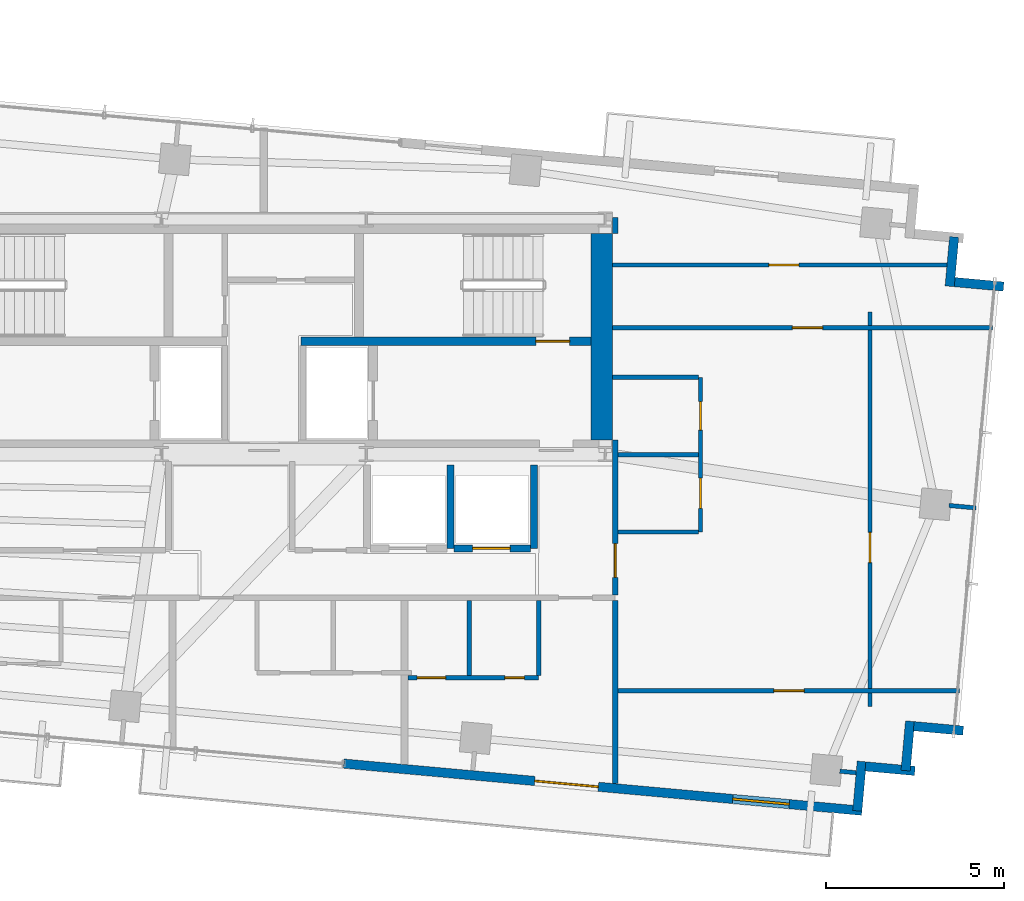
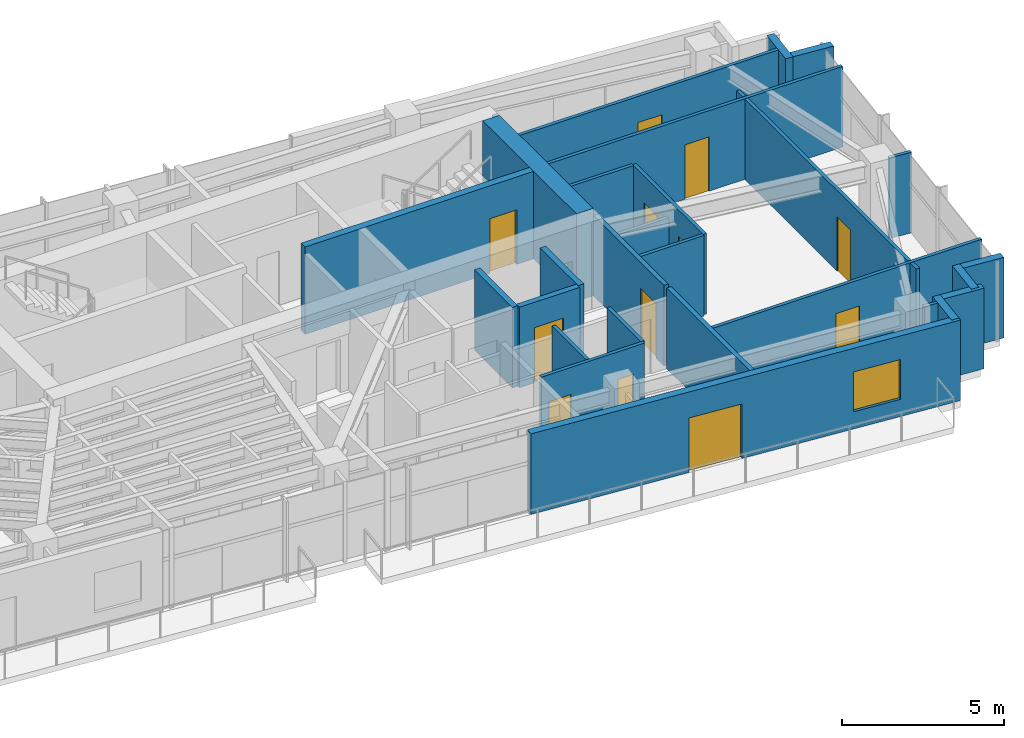
# One storey, part 18 of 22: 30 walls, 12 doors, 1 window, 13 openings.
"""IFC4 building model written with IfcOpenShell, lengths in metres."""

from ifc_helpers import new_model, si_unit, direction, frame, frame_2d, origin, place, context, subcontext, project, spatial, rectangle, extrude, source, transform, mapped, material, layer, layer_set, type_object, type_shapes, element, fill, save


model = new_model("IFC4")

# Units and contexts
model_context = context("Model", 3, precision=1e-05, world=origin(), true_north=direction((0.0, 1.0)))
body_context = subcontext(model_context, "Body", "Model", "MODEL_VIEW")
ifc_project = project(units=[si_unit("LENGTHUNIT", "METRE"), si_unit("AREAUNIT", "SQUARE_METRE"), si_unit("VOLUMEUNIT", "CUBIC_METRE"), si_unit("PLANEANGLEUNIT", "RADIAN"), si_unit("MASSUNIT", "GRAM", prefix="KILO")], contexts=[model_context])

# Site, building, storey
site_placement = place(None, origin())
site = spatial("IfcSite", under=ifc_project, at=site_placement, CompositionType="ELEMENT")
building_placement = place(site_placement, origin())
building = spatial("IfcBuilding", under=site, at=building_placement, Name="Astriad Promenade Condominiums", CompositionType="ELEMENT")
storey_placement = place(building_placement, frame((0.0, 0.0, 239.699951171875)))
storey = spatial("IfcBuildingStorey", under=building, at=storey_placement, Name="L69", CompositionType="ELEMENT", Elevation=239.699951171875)

# Wall
ifc_material_1 = material(Name="Concrete C50/60", Category="concrete")
ifc_layer_1 = layer(ifc_material_1, 0.60009765625)
ifc_layer_set_1 = layer_set([ifc_layer_1], Name="Concrete C50/60")
wall_type_1 = type_object("IfcWallType", Name="CW-SHEAR-600", PredefinedType="SHEAR", material=ifc_layer_set_1)
wall_1_placement = place(storey_placement, frame((45.5, 17.802001953125, 0.0), z_axis=(0.0, 0.0, 1.0), x_axis=(0.0, 1.0, 0.0)))
element("IfcWall", 1, at=wall_1_placement, inside=storey, type_object=wall_type_1, Name="CW-CORE-E-L69", PredefinedType="SHEAR", context=body_context, shape_type="SweptSolid", body=[
    extrude(rectangle(XDim=5.7958984375, YDim=0.60009765625, at=frame_2d((2.89794921875, 0.0))), origin(), (0.0, 0.0, 1.0), 3.300048828125),
])

# Wall, opening, door
ifc_layer_2 = layer(ifc_material_1, 0.25)
ifc_layer_set_2 = layer_set([ifc_layer_2], Name="Concrete C50/60")
wall_type_2 = type_object("IfcWallType", Name="WALL-CORE-INT-250", PredefinedType="SOLIDWALL", material=ifc_layer_set_2)
wall_2_placement = place(storey_placement, frame((37.050048828125, 20.574951171875, 0.0), z_axis=(0.0, 0.0, 1.0), x_axis=(1.0, 0.0, 0.0)))
wall_2 = element("IfcWall", 2, at=wall_2_placement, inside=storey, type_object=wall_type_2, Name="CW-INT-H2-L69", PredefinedType="SOLIDWALL", context=body_context, shape_type="SweptSolid", body=[
    extrude(rectangle(XDim=8.14794921875, YDim=0.25, at=frame_2d((4.073974609375, 0.0))), origin(), (0.0, 0.0, 1.0), 3.300048828125),
])
opening_1_placement = place(wall_2_placement, frame((6.60009765625, 0.0, 0.0)))
opening_1 = element("IfcOpeningElement", 3, at=opening_1_placement, cuts=wall_2, Name="Opening FD90-ST-095", PredefinedType="OPENING", context=body_context, shape_type="SweptSolid", body=[
    extrude(rectangle(XDim=0.949951171875, YDim=2.06005859375, at=frame_2d((0.47509765625, 1.030029296875))), frame((0.0, 0.135009765625, 0.0), z_axis=(0.0, -1.0, 0.0), x_axis=(1.0, 0.0, 0.0)), (0.0, 0.0, 1.0), 0.27001953125),
])
ifc_material_2 = material(Name="Fire-Rated Hollow Metal Stair Door")
door_type_1 = type_object("IfcDoorType", Name="FD90-ST-095", OperationType="NOTDEFINED", PredefinedType="DOOR", material=ifc_material_2)
shared_shape_1 = source(origin(), body_context, "Body", "SweptSolid", [
    extrude(rectangle(XDim=0.949951171875, YDim=2.06005859375, at=frame_2d((0.47509765625, 1.030029296875))), frame((0.0, 0.02490234375, 0.0), z_axis=(0.0, -1.0, 0.0), x_axis=(1.0, 0.0, 0.0)), (0.0, 0.0, 1.0), 0.050048828125),
])
type_shapes(door_type_1, [shared_shape_1])
door_1_placement = place(opening_1_placement, origin())
door_1 = element("IfcDoor", 4, at=door_1_placement, inside=storey, type_object=door_type_1, Name="D-ST2-L69", OperationType="SINGLE_SWING_RIGHT", OverallHeight=2.06005859375, OverallWidth=0.949951171875, PredefinedType="DOOR", context=body_context, shape_type="MappedRepresentation", body=[
    mapped(shared_shape_1, transform((0.0, 0.0, 0.0), scale=1.0)),
])
fill(opening_1, door_1)

# Wall
ifc_material_3 = material(Name="Fire-Rated Gypsum Partition")
ifc_layer_3 = layer(ifc_material_3, 0.159912109375)
ifc_layer_set_3 = layer_set([ifc_layer_3], Name="Fire-Rated Gypsum Partition")
wall_type_3 = type_object("IfcWallType", Name="WALL-CORR-160", PredefinedType="PARTITIONING", material=ifc_layer_set_3)
wall_3_placement = place(storey_placement, frame((45.8798828125, 8.135986328125, 0.0), z_axis=(0.0, 0.0, 1.0), x_axis=(0.0, 1.0, 0.0)))
element("IfcWall", 5, at=wall_3_placement, inside=storey, type_object=wall_type_3, Name="PT-COR-E-L69", PredefinedType="PARTITIONING", context=body_context, shape_type="SweptSolid", body=[
    extrude(rectangle(XDim=5.14208984375, YDim=0.159912109375, at=frame_2d((2.571044921875, 0.0))), origin(), (0.0, 0.0, 1.0), 3.0400390625),
])

# Wall, opening, door
wall_4_placement = place(storey_placement, frame((45.8798828125, 13.44189453125, 0.0), z_axis=(0.0, 0.0, 1.0), x_axis=(0.0, 1.0, 0.0)))
wall_4 = element("IfcWall", 6, at=wall_4_placement, inside=storey, type_object=wall_type_3, Name="PT-COR-E-L69-S2", PredefinedType="PARTITIONING", context=body_context, shape_type="SweptSolid", body=[
    extrude(rectangle(XDim=4.360107421875, YDim=0.159912109375, at=frame_2d((2.18017578125, 0.0))), origin(), (0.0, 0.0, 1.0), 3.0400390625),
])
opening_2_placement = place(wall_4_placement, frame((0.492919921875, 0.0, 0.0)))
opening_2 = element("IfcOpeningElement", 7, at=opening_2_placement, cuts=wall_4, Name="Opening FD60-APT-095", PredefinedType="OPENING", context=body_context, shape_type="SweptSolid", body=[
    extrude(rectangle(XDim=0.949951171875, YDim=2.06005859375, at=frame_2d((0.47509765625, 1.030029296875))), frame((0.0, 0.08984375, 0.0), z_axis=(0.0, -1.0, 0.0), x_axis=(1.0, 0.0, 0.0)), (0.0, 0.0, 1.0), 0.179931640625),
])
ifc_material_4 = material(Name="Solid-Core Acoustic Timber Residence Entry Door", Category="wood")
door_type_2 = type_object("IfcDoorType", Name="FD60-APT-095", OperationType="NOTDEFINED", PredefinedType="DOOR", material=ifc_material_4)
shared_shape_2 = source(origin(), body_context, "Body", "SweptSolid", [
    extrude(rectangle(XDim=0.949951171875, YDim=2.06005859375, at=frame_2d((0.47509765625, 1.030029296875))), frame((0.0, 0.02490234375, 0.0), z_axis=(0.0, -1.0, 0.0), x_axis=(1.0, 0.0, 0.0)), (0.0, 0.0, 1.0), 0.050048828125),
])
type_shapes(door_type_2, [shared_shape_2])
door_2_placement = place(opening_2_placement, origin())
door_2 = element("IfcDoor", 8, at=door_2_placement, inside=storey, type_object=door_type_2, Name="D-ENT-L69-E1", OperationType="SINGLE_SWING_LEFT", OverallHeight=2.06005859375, OverallWidth=0.949951171875, PredefinedType="DOOR", context=body_context, shape_type="MappedRepresentation", body=[
    mapped(shared_shape_2, transform((0.0, 0.0, 0.0), scale=1.0)),
])
fill(opening_2, door_2)

# Walls
wall_5_placement = place(storey_placement, frame((45.8798828125, 23.597900390625, 0.0), z_axis=(0.0, 0.0, 1.0), x_axis=(0.0, 1.0, 0.0)))
element("IfcWall", 9, at=wall_5_placement, inside=storey, type_object=wall_type_3, Name="PT-COR-E-L69-S3", PredefinedType="PARTITIONING", context=body_context, shape_type="SweptSolid", body=[
    extrude(rectangle(XDim=0.4521484375, YDim=0.159912109375, at=frame_2d((0.22607421875, 0.0))), origin(), (0.0, 0.0, 1.0), 3.0400390625),
])
ifc_material_5 = material(Name="Precast concrete C50/60", Category="concrete")
ifc_layer_4 = layer(ifc_material_5, 0.260009765625)
ifc_layer_set_4 = layer_set([ifc_layer_4], Name="Precast concrete C50/60")
wall_type_4 = type_object("IfcWallType", Name="WALL-EXT-TWR-260", PredefinedType="STANDARD", material=ifc_layer_set_4)
for number, where, z_axis, x_axis, name in (
    (10, (55.412353515625, 23.50830078125, 0.0), (0.0, 0.0, 1.0), (-0.090646191665, -0.995883159782, 0.0), "W-SER-L69-11"),
    (11, (55.412109375, 22.238037109375, 0.0), (0.0, 0.0, 1.0), (0.995883159782, -0.090646191665, 0.0), "W-SER-L69-12"),
):
    element("IfcWall", number, at=place(storey_placement, frame(where, z_axis=z_axis, x_axis=x_axis)), inside=storey, type_object=wall_type_4, Name=name, PredefinedType="STANDARD", context=body_context, shape_type="SweptSolid", body=[
        extrude(rectangle(XDim=1.395263671875, YDim=0.260009765625, at=frame_2d((0.69775390625, 0.0))), origin(), (0.0, 0.0, 1.0), 3.0400390625),
    ])
for number, where, z_axis, x_axis, name in (
    (12, (55.664794921875, 9.623291015625, 0.0), (0.0, 0.0, 1.0), (-0.995881721538, 0.090661991521, 0.0), "W-SER-L69-14"),
    (13, (54.1728515625, 9.889404296875, 0.0), (0.0, 0.0, 1.0), (-0.090661991521, -0.995881721538, 0.0), "W-SER-L69-15"),
):
    element("IfcWall", number, at=place(storey_placement, frame(where, z_axis=z_axis, x_axis=x_axis)), inside=storey, type_object=wall_type_4, Name=name, PredefinedType="STANDARD", context=body_context, shape_type="SweptSolid", body=[
        extrude(rectangle(XDim=1.39501953125, YDim=0.260009765625, at=frame_2d((0.697509765625, 0.0))), origin(), (0.0, 0.0, 1.0), 3.0400390625),
    ])
for number, where, z_axis, x_axis, name in (
    (14, (54.306884765625, 8.49169921875, 0.0), (0.0, 0.0, 1.0), (-0.995883159782, 0.090646191665, 0.0), "W-SER-L69-16"),
    (15, (52.814697265625, 8.758056640625, 0.0), (0.0, 0.0, 1.0), (-0.090646191665, -0.995883159782, 0.0), "W-SER-L69-17"),
):
    element("IfcWall", number, at=place(storey_placement, frame(where, z_axis=z_axis, x_axis=x_axis)), inside=storey, type_object=wall_type_4, Name=name, PredefinedType="STANDARD", context=body_context, shape_type="SweptSolid", body=[
        extrude(rectangle(XDim=1.395263671875, YDim=0.260009765625, at=frame_2d((0.69775390625, 0.0))), origin(), (0.0, 0.0, 1.0), 3.0400390625),
    ])

# Wall, openings, door, window
wall_6_placement = place(storey_placement, frame((52.819091796875, 7.371826171875, 0.0), z_axis=(0.0, 0.0, 1.0), x_axis=(-0.995884447498, 0.090632043071, 0.0)))
wall_6 = element("IfcWall", 16, at=wall_6_placement, inside=storey, type_object=wall_type_4, Name="W-EXT-L69-S1", PredefinedType="STANDARD", context=body_context, shape_type="SweptSolid", body=[
    extrude(rectangle(XDim=14.6298828125, YDim=0.260009765625, at=frame_2d((7.31494140625, 0.0))), origin(), (0.0, 0.0, 1.0), 3.0400390625),
])
opening_3_placement = place(wall_6_placement, frame((7.44091796875, 0.0, 0.0)))
opening_3 = element("IfcOpeningElement", 17, at=opening_3_placement, cuts=wall_6, Name="Opening BD-1822-SLD", PredefinedType="OPENING", context=body_context, shape_type="SweptSolid", body=[
    extrude(rectangle(XDim=1.800048828125, YDim=2.06005859375, at=frame_2d((0.89990234375, 1.030029296875))), frame((0.0, 0.139892578125, 0.0), z_axis=(0.0, -1.0, 0.0), x_axis=(1.0, 0.0, 0.0)), (0.0, 0.0, 1.0), 0.280029296875),
])
opening_4_placement = place(wall_6_placement, frame((2.050048828125, 0.0, 0.64990234375)))
opening_4 = element("IfcOpeningElement", 18, at=opening_4_placement, cuts=wall_6, Name="Opening WIN-TWR-1620", PredefinedType="OPENING", context=body_context, shape_type="SweptSolid", body=[
    extrude(rectangle(XDim=1.60009765625, YDim=1.5, at=frame_2d((0.800048828125, 0.75))), frame((0.0, 0.139892578125, 0.0), z_axis=(0.0, -1.0, 0.0), x_axis=(1.0, 0.0, 0.0)), (0.0, 0.0, 1.0), 0.280029296875),
])
ifc_material_6 = material(Name="Thermally Broken Aluminium Sliding Balcony Door", Category="aluminium")
door_type_3 = type_object("IfcDoorType", Name="BD-1822-SLD", OperationType="NOTDEFINED", PredefinedType="DOOR", material=ifc_material_6)
shared_shape_3 = source(origin(), body_context, "Body", "SweptSolid", [
    extrude(rectangle(XDim=1.800048828125, YDim=2.06005859375, at=frame_2d((0.89990234375, 1.030029296875))), frame((0.0, 0.02490234375, 0.0), z_axis=(0.0, -1.0, 0.0), x_axis=(1.0, 0.0, 0.0)), (0.0, 0.0, 1.0), 0.050048828125),
])
type_shapes(door_type_3, [shared_shape_3])
door_3_placement = place(opening_3_placement, origin())
door_3 = element("IfcDoor", 19, at=door_3_placement, inside=storey, type_object=door_type_3, Name="BD-L69-SE", OperationType="SLIDING_TO_RIGHT", OverallHeight=2.06005859375, OverallWidth=1.800048828125, PredefinedType="DOOR", context=body_context, shape_type="MappedRepresentation", body=[
    mapped(shared_shape_3, transform((0.0, 0.0, 0.0), scale=1.0)),
])
fill(opening_3, door_3)
ifc_material_7 = material(Name="Dark Tinted Triple-Glazed Aluminium Window", Category="aluminium")
window_type = type_object("IfcWindowType", Name="WIN-TWR-1620", PartitioningType="SINGLE_PANEL", PredefinedType="WINDOW", material=ifc_material_7)
shared_shape_4 = source(origin(), body_context, "Body", "SweptSolid", [
    extrude(rectangle(XDim=1.60009765625, YDim=1.5, at=frame_2d((0.800048828125, 0.75))), frame((0.0, 0.030029296875, 0.0), z_axis=(0.0, -1.0, 0.0), x_axis=(1.0, 0.0, 0.0)), (0.0, 0.0, 1.0), 0.06005859375),
])
type_shapes(window_type, [shared_shape_4])
window_placement = place(opening_4_placement, origin())
window = element("IfcWindow", 20, at=window_placement, inside=storey, type_object=window_type, Name="WIN-L69-SE", OverallHeight=1.5, OverallWidth=1.60009765625, PartitioningType="SINGLE_PANEL", PredefinedType="WINDOW", context=body_context, shape_type="MappedRepresentation", body=[
    mapped(shared_shape_4, transform((0.0, 0.0, 0.0), scale=1.0)),
])
fill(opening_4, window)

# Wall, openings, doors
ifc_material_8 = material(Name="Acoustic Metal-Stud Gypsum Partition")
ifc_layer_5 = layer(ifc_material_8, 0.1201171875)
ifc_layer_set_5 = layer_set([ifc_layer_5], Name="Acoustic Metal-Stud Gypsum Partition")
wall_type_5 = type_object("IfcWallType", Name="WALL-PART-120", PredefinedType="PARTITIONING", material=ifc_layer_set_5)
wall_7_placement = place(storey_placement, frame((40.053955078125, 11.110107421875, 0.0), z_axis=(0.0, 0.0, 1.0), x_axis=(1.0, 0.0, 0.0)))
wall_7 = element("IfcWall", 21, at=wall_7_placement, inside=storey, type_object=wall_type_5, Name="PT-L69-S3-PS", PredefinedType="PARTITIONING", context=body_context, shape_type="SweptSolid", body=[
    extrude(rectangle(XDim=3.676025390625, YDim=0.1201171875, at=frame_2d((1.837890625, 0.0))), origin(), (0.0, 0.0, 1.0), 3.0400390625),
])
opening_5_placement = place(wall_7_placement, frame((0.260009765625, 0.0, 0.0)))
opening_5 = element("IfcOpeningElement", 22, at=opening_5_placement, cuts=wall_7, Name="Opening D-WET-080", PredefinedType="OPENING", context=body_context, shape_type="SweptSolid", body=[
    extrude(rectangle(XDim=0.800048828125, YDim=2.02001953125, at=frame_2d((0.39990234375, 1.010009765625))), frame((0.0, 0.070068359375, 0.0), z_axis=(0.0, -1.0, 0.0), x_axis=(1.0, 0.0, 0.0)), (0.0, 0.0, 1.0), 0.14013671875),
])
opening_6_placement = place(wall_7_placement, frame((2.72412109375, 0.0, 0.0)))
opening_6 = element("IfcOpeningElement", 23, at=opening_6_placement, cuts=wall_7, Name="Opening D-AC-055", PredefinedType="OPENING", context=body_context, shape_type="SweptSolid", body=[
    extrude(rectangle(XDim=0.550048828125, YDim=2.0, at=frame_2d((0.27490234375, 1.0))), frame((0.0, 0.070068359375, 0.0), z_axis=(0.0, -1.0, 0.0), x_axis=(1.0, 0.0, 0.0)), (0.0, 0.0, 1.0), 0.14013671875),
])
ifc_material_9 = material(Name="Moisture-Resistant Timber Bathroom Door", Category="wood")
door_type_4 = type_object("IfcDoorType", Name="D-WET-080", OperationType="NOTDEFINED", PredefinedType="DOOR", material=ifc_material_9)
shared_shape_5 = source(origin(), body_context, "Body", "SweptSolid", [
    extrude(rectangle(XDim=0.800048828125, YDim=2.02001953125, at=frame_2d((0.39990234375, 1.010009765625))), frame((0.0, 0.02490234375, 0.0), z_axis=(0.0, -1.0, 0.0), x_axis=(1.0, 0.0, 0.0)), (0.0, 0.0, 1.0), 0.050048828125),
])
type_shapes(door_type_4, [shared_shape_5])
door_4_placement = place(opening_5_placement, origin())
door_4 = element("IfcDoor", 24, at=door_4_placement, inside=storey, type_object=door_type_4, Name="D-BTH-L69-S3", OperationType="SINGLE_SWING_RIGHT", OverallHeight=2.02001953125, OverallWidth=0.800048828125, PredefinedType="DOOR", context=body_context, shape_type="MappedRepresentation", body=[
    mapped(shared_shape_5, transform((0.0, 0.0, 0.0), scale=1.0)),
])
fill(opening_5, door_4)
ifc_material_10 = material(Name="Painted Timber Access Door", Category="wood")
door_type_5 = type_object("IfcDoorType", Name="D-AC-055", OperationType="NOTDEFINED", PredefinedType="DOOR", material=ifc_material_10)
shared_shape_6 = source(origin(), body_context, "Body", "SweptSolid", [
    extrude(rectangle(XDim=0.550048828125, YDim=2.0, at=frame_2d((0.27490234375, 1.0))), frame((0.0, 0.02490234375, 0.0), z_axis=(0.0, -1.0, 0.0), x_axis=(1.0, 0.0, 0.0)), (0.0, 0.0, 1.0), 0.050048828125),
])
type_shapes(door_type_5, [shared_shape_6])
door_5_placement = place(opening_6_placement, origin())
door_5 = element("IfcDoor", 25, at=door_5_placement, inside=storey, type_object=door_type_5, Name="D-KIT-L69-S3", OperationType="SINGLE_SWING_LEFT", OverallHeight=2.0, OverallWidth=0.550048828125, PredefinedType="DOOR", context=body_context, shape_type="MappedRepresentation", body=[
    mapped(shared_shape_6, transform((0.0, 0.0, 0.0), scale=1.0)),
])
fill(opening_6, door_5)

# Walls
for number, where, z_axis, x_axis, name in (
    (26, (43.72998046875, 11.172119140625, 0.0), (0.0, 0.0, 1.0), (0.0, 1.0, 0.0), "PT-L69-S3-PK"),
    (27, (41.77587890625, 11.172119140625, 0.0), (0.0, 0.0, 1.0), (0.0, 1.0, 0.0), "PT-L69-S3-PB"),
):
    element("IfcWall", number, at=place(storey_placement, frame(where, z_axis=z_axis, x_axis=x_axis)), inside=storey, type_object=wall_type_5, Name=name, PredefinedType="PARTITIONING", context=body_context, shape_type="SweptSolid", body=[
        extrude(rectangle(XDim=2.10595703125, YDim=0.1201171875, at=frame_2d((1.052978515625, 0.0))), origin(), (0.0, 0.0, 1.0), 3.0400390625),
    ])

# Wall, openings, doors
wall_8_placement = place(storey_placement, frame((48.280029296875, 15.2099609375, 0.0), z_axis=(0.0, 0.0, 1.0), x_axis=(0.0, 1.0, 0.0)))
wall_8 = element("IfcWall", 28, at=wall_8_placement, inside=storey, type_object=wall_type_5, Name="PT-L69-E1-PV", PredefinedType="PARTITIONING", context=body_context, shape_type="SweptSolid", body=[
    extrude(rectangle(XDim=4.35009765625, YDim=0.1201171875, at=frame_2d((2.175048828125, 0.0))), origin(), (0.0, 0.0, 1.0), 3.0400390625),
])
opening_7_placement = place(wall_8_placement, frame((0.662109375, 0.0, 0.0)))
opening_7 = element("IfcOpeningElement", 29, at=opening_7_placement, cuts=wall_8, Name="Opening D-INT-085", PredefinedType="OPENING", context=body_context, shape_type="SweptSolid", body=[
    extrude(rectangle(XDim=0.85009765625, YDim=2.050048828125, at=frame_2d((0.425048828125, 1.02490234375))), frame((0.0, 0.070068359375, 0.0), z_axis=(0.0, -1.0, 0.0), x_axis=(1.0, 0.0, 0.0)), (0.0, 0.0, 1.0), 0.14013671875),
])
opening_8_placement = place(wall_8_placement, frame((2.863037109375, 0.0, 0.0)))
opening_8 = element("IfcOpeningElement", 30, at=opening_8_placement, cuts=wall_8, Name="Opening D-WET-080", PredefinedType="OPENING", context=body_context, shape_type="SweptSolid", body=[
    extrude(rectangle(XDim=0.800048828125, YDim=2.02001953125, at=frame_2d((0.39990234375, 1.010009765625))), frame((0.0, 0.070068359375, 0.0), z_axis=(0.0, -1.0, 0.0), x_axis=(1.0, 0.0, 0.0)), (0.0, 0.0, 1.0), 0.14013671875),
])
door_6_placement = place(opening_8_placement, origin())
door_6 = element("IfcDoor", 31, at=door_6_placement, inside=storey, type_object=door_type_4, Name="D-BTH-L69-E1", OperationType="SINGLE_SWING_LEFT", OverallHeight=2.02001953125, OverallWidth=0.800048828125, PredefinedType="DOOR", context=body_context, shape_type="MappedRepresentation", body=[
    mapped(shared_shape_5, transform((0.0, 0.0, 0.0), scale=1.0)),
])
fill(opening_8, door_6)
ifc_material_11 = material(Name="Painted Solid-Core Timber Room Door", Category="wood")
door_type_6 = type_object("IfcDoorType", Name="D-INT-085", OperationType="NOTDEFINED", PredefinedType="DOOR", material=ifc_material_11)
shared_shape_7 = source(origin(), body_context, "Body", "SweptSolid", [
    extrude(rectangle(XDim=0.85009765625, YDim=2.050048828125, at=frame_2d((0.425048828125, 1.02490234375))), frame((0.0, 0.02490234375, 0.0), z_axis=(0.0, -1.0, 0.0), x_axis=(1.0, 0.0, 0.0)), (0.0, 0.0, 1.0), 0.050048828125),
])
type_shapes(door_type_6, [shared_shape_7])
door_7_placement = place(opening_7_placement, origin())
door_7 = element("IfcDoor", 32, at=door_7_placement, inside=storey, type_object=door_type_6, Name="D-KIT-L69-E1", OperationType="SINGLE_SWING_RIGHT", OverallHeight=2.050048828125, OverallWidth=0.85009765625, PredefinedType="DOOR", context=body_context, shape_type="MappedRepresentation", body=[
    mapped(shared_shape_7, transform((0.0, 0.0, 0.0), scale=1.0)),
])
fill(opening_7, door_7)

# Walls
wall_9_placement = place(storey_placement, frame((45.9619140625, 17.385009765625, 0.0), z_axis=(0.0, 0.0, 1.0), x_axis=(1.0, 0.0, 0.0)))
element("IfcWall", 33, at=wall_9_placement, inside=storey, type_object=wall_type_5, Name="PT-L69-E1-PM", PredefinedType="PARTITIONING", context=body_context, shape_type="SweptSolid", body=[
    extrude(rectangle(XDim=2.256103515625, YDim=0.1201171875, at=frame_2d((1.1279296875, 0.0))), origin(), (0.0, 0.0, 1.0), 2.38134765625),
])
wall_10_placement = place(storey_placement, frame((45.9619140625, 15.2099609375, 0.0), z_axis=(0.0, 0.0, 1.0), x_axis=(1.0, 0.0, 0.0)))
element("IfcWall", 34, at=wall_10_placement, inside=storey, type_object=wall_type_5, Name="PT-L69-E1-PS", PredefinedType="PARTITIONING", context=body_context, shape_type="SweptSolid", body=[
    extrude(rectangle(XDim=2.256103515625, YDim=0.1201171875, at=frame_2d((1.1279296875, 0.0))), origin(), (0.0, 0.0, 1.0), 3.0400390625),
])
wall_11_placement = place(storey_placement, frame((45.802001953125, 19.56005859375, 0.0), z_axis=(0.0, 0.0, 1.0), x_axis=(1.0, 0.0, 0.0)))
element("IfcWall", 35, at=wall_11_placement, inside=storey, type_object=wall_type_5, Name="PT-L69-E1-PN", PredefinedType="PARTITIONING", context=body_context, shape_type="SweptSolid", body=[
    extrude(rectangle(XDim=2.416015625, YDim=0.1201171875, at=frame_2d((1.2080078125, 0.0))), origin(), (0.0, 0.0, 1.0), 3.0400390625),
])

# Wall, opening, door
wall_12_placement = place(storey_placement, frame((45.802001953125, 22.717041015625, 0.0), z_axis=(0.0, 0.0, 1.0), x_axis=(1.0, 0.0, 0.0)))
wall_12 = element("IfcWall", 36, at=wall_12_placement, inside=storey, type_object=wall_type_5, Name="PT-L69-E1-WDN1", PredefinedType="PARTITIONING", context=body_context, shape_type="SweptSolid", body=[
    extrude(rectangle(XDim=9.40576171875, YDim=0.1201171875, at=frame_2d((4.702880859375, 0.0))), origin(), (0.0, 0.0, 1.0), 3.0400390625),
])
opening_9_placement = place(wall_12_placement, frame((4.39697265625, 0.0, 0.0)))
opening_9 = element("IfcOpeningElement", 37, at=opening_9_placement, cuts=wall_12, Name="Opening D-INT-085", PredefinedType="OPENING", context=body_context, shape_type="SweptSolid", body=[
    extrude(rectangle(XDim=0.85009765625, YDim=2.050048828125, at=frame_2d((0.425048828125, 1.02490234375))), frame((0.0, 0.070068359375, 0.0), z_axis=(0.0, -1.0, 0.0), x_axis=(1.0, 0.0, 0.0)), (0.0, 0.0, 1.0), 0.14013671875),
])
door_8_placement = place(opening_9_placement, origin())
door_8 = element("IfcDoor", 38, at=door_8_placement, inside=storey, type_object=door_type_6, Name="D-WDN1-L69-E1", OperationType="SINGLE_SWING_RIGHT", OverallHeight=2.050048828125, OverallWidth=0.85009765625, PredefinedType="DOOR", context=body_context, shape_type="MappedRepresentation", body=[
    mapped(shared_shape_7, transform((0.0, 0.0, 0.0), scale=1.0)),
])
fill(opening_9, door_8)

wall_13_placement = place(storey_placement, frame((45.9619140625, 10.74609375, 0.0), z_axis=(0.0, 0.0, 1.0), x_axis=(1.0, 0.0, 0.0)))
wall_13 = element("IfcWall", 39, at=wall_13_placement, inside=storey, type_object=wall_type_5, Name="PT-L69-E1-WDS2", PredefinedType="PARTITIONING", context=body_context, shape_type="SweptSolid", body=[
    extrude(rectangle(XDim=9.59423828125, YDim=0.1201171875, at=frame_2d((4.797119140625, 0.0))), origin(), (0.0, 0.0, 1.0), 3.0400390625),
])
opening_10_placement = place(wall_13_placement, frame((4.3779296875, 0.0, 0.0)))
opening_10 = element("IfcOpeningElement", 40, at=opening_10_placement, cuts=wall_13, Name="Opening D-INT-085", PredefinedType="OPENING", context=body_context, shape_type="SweptSolid", body=[
    extrude(rectangle(XDim=0.85009765625, YDim=2.050048828125, at=frame_2d((0.425048828125, 1.02490234375))), frame((0.0, 0.070068359375, 0.0), z_axis=(0.0, -1.0, 0.0), x_axis=(1.0, 0.0, 0.0)), (0.0, 0.0, 1.0), 0.14013671875),
])
door_9_placement = place(opening_10_placement, origin())
door_9 = element("IfcDoor", 41, at=door_9_placement, inside=storey, type_object=door_type_6, Name="D-WDS2-L69-E1", OperationType="SINGLE_SWING_LEFT", OverallHeight=2.050048828125, OverallWidth=0.85009765625, PredefinedType="DOOR", context=body_context, shape_type="MappedRepresentation", body=[
    mapped(shared_shape_7, transform((0.0, 0.0, 0.0), scale=1.0)),
])
fill(opening_10, door_9)

wall_14_placement = place(storey_placement, frame((45.802001953125, 20.9541015625, 0.0), z_axis=(0.0, 0.0, 1.0), x_axis=(1.0, 0.0, 0.0)))
wall_14 = element("IfcWall", 42, at=wall_14_placement, inside=storey, type_object=wall_type_5, Name="PT-L69-E1-WDN3", PredefinedType="PARTITIONING", context=body_context, shape_type="SweptSolid", body=[
    extrude(rectangle(XDim=10.68310546875, YDim=0.1201171875, at=frame_2d((5.341552734375, 0.0))), origin(), (0.0, 0.0, 1.0), 3.0400390625),
])
opening_11_placement = place(wall_14_placement, frame((5.06201171875, 0.0, 0.0)))
opening_11 = element("IfcOpeningElement", 43, at=opening_11_placement, cuts=wall_14, Name="Opening D-INT-085", PredefinedType="OPENING", context=body_context, shape_type="SweptSolid", body=[
    extrude(rectangle(XDim=0.85009765625, YDim=2.050048828125, at=frame_2d((0.425048828125, 1.02490234375))), frame((0.0, 0.070068359375, 0.0), z_axis=(0.0, -1.0, 0.0), x_axis=(1.0, 0.0, 0.0)), (0.0, 0.0, 1.0), 0.14013671875),
])
door_10_placement = place(opening_11_placement, origin())
door_10 = element("IfcDoor", 44, at=door_10_placement, inside=storey, type_object=door_type_6, Name="D-WDN3-L69-E1", OperationType="SINGLE_SWING_RIGHT", OverallHeight=2.050048828125, OverallWidth=0.85009765625, PredefinedType="DOOR", context=body_context, shape_type="MappedRepresentation", body=[
    mapped(shared_shape_7, transform((0.0, 0.0, 0.0), scale=1.0)),
])
fill(opening_11, door_10)

# Wall
wall_15_placement = place(storey_placement, frame((53.047119140625, 10.305908203125, 0.0), z_axis=(0.0, 0.0, 1.0), x_axis=(0.0, 1.0, 0.0)))
element("IfcWall", 45, at=wall_15_placement, inside=storey, type_object=wall_type_5, Name="PT-L69-E1-WDV4", PredefinedType="PARTITIONING", context=body_context, shape_type="SweptSolid", body=[
    extrude(rectangle(XDim=0.378173828125, YDim=0.1201171875, at=frame_2d((0.18896484375, 0.0))), origin(), (0.0, 0.0, 1.0), 3.0400390625),
])

# Wall, opening, door
wall_16_placement = place(storey_placement, frame((53.047119140625, 10.80810546875, 0.0), z_axis=(0.0, 0.0, 1.0), x_axis=(0.0, 1.0, 0.0)))
wall_16 = element("IfcWall", 46, at=wall_16_placement, inside=storey, type_object=wall_type_5, Name="PT-L69-E1-WDV4-S2", PredefinedType="PARTITIONING", context=body_context, shape_type="SweptSolid", body=[
    extrude(rectangle(XDim=10.083984375, YDim=0.1201171875, at=frame_2d((5.0419921875, 0.0))), origin(), (0.0, 0.0, 1.0), 3.0400390625),
])
opening_12_placement = place(wall_16_placement, frame((3.5400390625, 0.0, 0.0)))
opening_12 = element("IfcOpeningElement", 47, at=opening_12_placement, cuts=wall_16, Name="Opening D-INT-085", PredefinedType="OPENING", context=body_context, shape_type="SweptSolid", body=[
    extrude(rectangle(XDim=0.85009765625, YDim=2.050048828125, at=frame_2d((0.425048828125, 1.02490234375))), frame((0.0, 0.070068359375, 0.0), z_axis=(0.0, -1.0, 0.0), x_axis=(1.0, 0.0, 0.0)), (0.0, 0.0, 1.0), 0.14013671875),
])
door_11_placement = place(opening_12_placement, origin())
door_11 = element("IfcDoor", 48, at=door_11_placement, inside=storey, type_object=door_type_6, Name="D-WDV4-L69-E1", OperationType="SINGLE_SWING_LEFT", OverallHeight=2.050048828125, OverallWidth=0.85009765625, PredefinedType="DOOR", context=body_context, shape_type="MappedRepresentation", body=[
    mapped(shared_shape_7, transform((0.0, 0.0, 0.0), scale=1.0)),
])
fill(opening_12, door_11)

# Walls
wall_17_placement = place(storey_placement, frame((53.047119140625, 21.01611328125, 0.0), z_axis=(0.0, 0.0, 1.0), x_axis=(0.0, 1.0, 0.0)))
element("IfcWall", 49, at=wall_17_placement, inside=storey, type_object=wall_type_5, Name="PT-L69-E1-WDV4-S3", PredefinedType="PARTITIONING", context=body_context, shape_type="SweptSolid", body=[
    extrude(rectangle(XDim=0.3779296875, YDim=0.1201171875, at=frame_2d((0.18896484375, 0.0))), origin(), (0.0, 0.0, 1.0), 3.0400390625),
])
wall_18_placement = place(storey_placement, frame((52.197265625, 8.48291015625, 0.0), z_axis=(0.0, 0.0, 1.0), x_axis=(0.995884462012, -0.090631883588, 0.0)))
element("IfcWall", 50, at=wall_18_placement, inside=storey, type_object=wall_type_5, Name="PT-PIL-L69-PC05-12", PredefinedType="PARTITIONING", context=body_context, shape_type="SweptSolid", body=[
    extrude(rectangle(XDim=0.4580078125, YDim=0.1201171875, at=frame_2d((0.22900390625, 0.0))), origin(), (0.0, 0.0, 1.0), 3.0400390625),
])
wall_19_placement = place(storey_placement, frame((55.26708984375, 15.955322265625, 0.0), z_axis=(0.0, 0.0, 1.0), x_axis=(0.995887938321, -0.09059367697, 0.0)))
element("IfcWall", 51, at=wall_19_placement, inside=storey, type_object=wall_type_5, Name="PT-PIL-L69-PC12-19", PredefinedType="PARTITIONING", context=body_context, shape_type="SweptSolid", body=[
    extrude(rectangle(XDim=0.760009765625, YDim=0.1201171875, at=frame_2d((0.3798828125, 0.0))), origin(), (0.0, 0.0, 1.0), 3.0400390625),
])
ifc_material_12 = material(Name="Gypsum Shaftliner Assembly")
ifc_layer_6 = layer(ifc_material_12, 0.199951171875)
ifc_layer_set_6 = layer_set([ifc_layer_6], Name="Gypsum Shaftliner Assembly")
wall_type_6 = type_object("IfcWallType", Name="WALL-SHAFT-200", PredefinedType="PARTITIONING", material=ifc_layer_set_6)
for number, where, z_axis, x_axis, name in (
    (52, (41.25, 14.75, 0.0), (0.0, 0.0, 1.0), (0.0, 1.0, 0.0), "PL-H-DIV-L69"),
    (53, (43.60009765625, 14.75, 0.0), (0.0, 0.0, 1.0), (0.0, 1.0, 0.0), "PL-E-OUT-L69"),
):
    element("IfcWall", number, at=place(storey_placement, frame(where, z_axis=z_axis, x_axis=x_axis)), inside=storey, type_object=wall_type_6, Name=name, PredefinedType="PARTITIONING", context=body_context, shape_type="SweptSolid", body=[
        extrude(rectangle(XDim=2.35009765625, YDim=0.199951171875, at=frame_2d((1.175048828125, 0.0))), origin(), (0.0, 0.0, 1.0), 3.0400390625),
    ])

# Wall, opening, door
wall_20_placement = place(storey_placement, frame((41.35205078125, 14.75, 0.0), z_axis=(0.0, 0.0, 1.0), x_axis=(1.0, 0.0, 0.0)))
wall_20 = element("IfcWall", 54, at=wall_20_placement, inside=storey, type_object=wall_type_6, Name="PL-H-FRT-L69-S2", PredefinedType="PARTITIONING", context=body_context, shape_type="SweptSolid", body=[
    extrude(rectangle(XDim=2.14599609375, YDim=0.199951171875, at=frame_2d((1.072998046875, 0.0))), origin(), (0.0, 0.0, 1.0), 3.0400390625),
])
opening_13_placement = place(wall_20_placement, frame((0.52294921875, 0.0, 0.0)))
opening_13 = element("IfcOpeningElement", 55, at=opening_13_placement, cuts=wall_20, Name="Opening LD-PL-10522", PredefinedType="OPENING", context=body_context, shape_type="SweptSolid", body=[
    extrude(rectangle(XDim=1.050048828125, YDim=2.080078125, at=frame_2d((0.52490234375, 1.0400390625))), frame((0.0, 0.10986328125, 0.0), z_axis=(0.0, -1.0, 0.0), x_axis=(1.0, 0.0, 0.0)), (0.0, 0.0, 1.0), 0.219970703125),
])
ifc_material_13 = material(Name="Brushed Bronze Passenger Elevator Landing Door")
door_type_7 = type_object("IfcDoorType", Name="LD-PL-10522", OperationType="NOTDEFINED", PredefinedType="DOOR", material=ifc_material_13)
shared_shape_8 = source(origin(), body_context, "Body", "SweptSolid", [
    extrude(rectangle(XDim=1.050048828125, YDim=2.080078125, at=frame_2d((0.52490234375, 1.0400390625))), frame((0.0, 0.02490234375, 0.0), z_axis=(0.0, -1.0, 0.0), x_axis=(1.0, 0.0, 0.0)), (0.0, 0.0, 1.0), 0.050048828125),
])
type_shapes(door_type_7, [shared_shape_8])
door_12_placement = place(opening_13_placement, origin())
door_12 = element("IfcDoor", 56, at=door_12_placement, inside=storey, type_object=door_type_7, Name="Elevator Landing Door PL-H2 (L69)", OperationType="SLIDING_TO_RIGHT", OverallHeight=2.080078125, OverallWidth=1.050048828125, PredefinedType="DOOR", context=body_context, shape_type="MappedRepresentation", body=[
    mapped(shared_shape_8, transform((0.0, 0.0, 0.0), scale=1.0)),
])
fill(opening_13, door_12)

save(model, "model.ifc")
